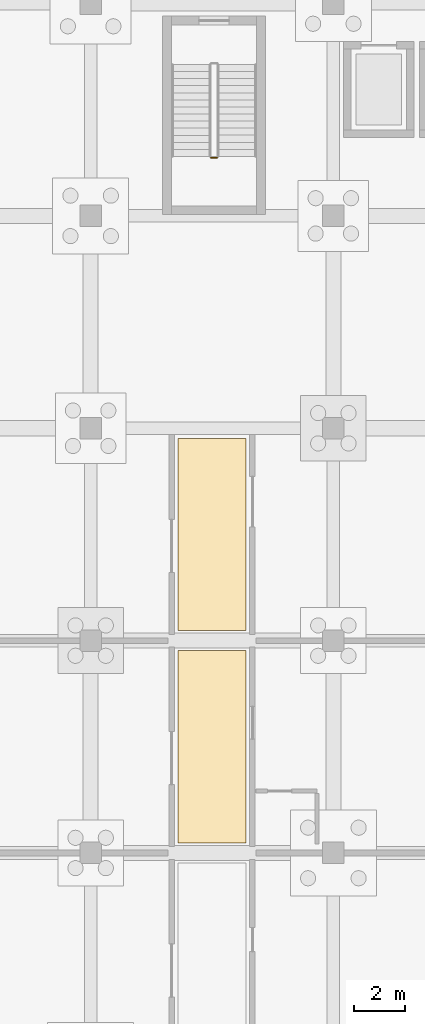
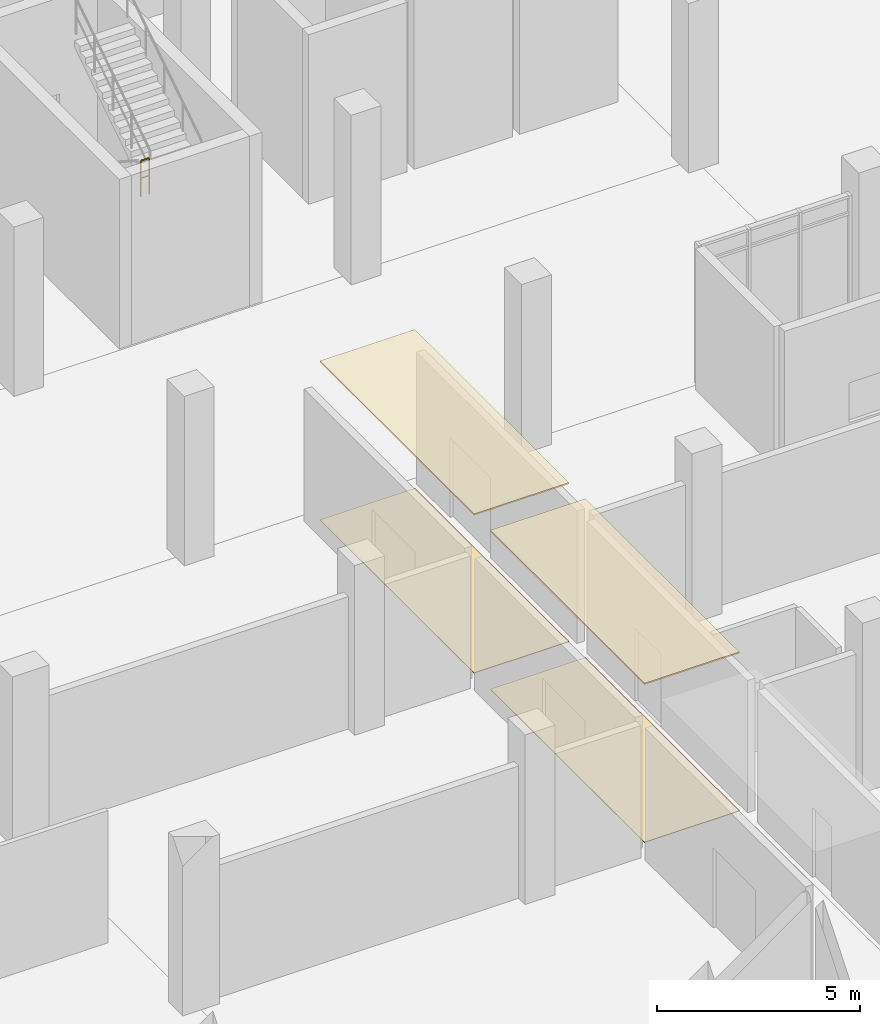
# One storey, part 126 of 136: 4 coverings, 1 railing.
"""IFC4 building model written with IfcOpenShell, lengths in metres."""

from ifc_helpers import new_model, si_unit, direction, frame, origin, origin_2d, place, context, subcontext, project, spatial, polyline, circle, outline, extrude, material, layer, layer_set, type_object, element, save


model = new_model("IFC4")

# Units and contexts
model_context = context("Model", 3, precision=1e-05, world=origin(), true_north=direction((0.0, 1.0)))
body_context = subcontext(model_context, "Body", "Model", "MODEL_VIEW")
ifc_project = project(units=[si_unit("LENGTHUNIT", "METRE"), si_unit("AREAUNIT", "SQUARE_METRE"), si_unit("VOLUMEUNIT", "CUBIC_METRE"), si_unit("PLANEANGLEUNIT", "RADIAN"), si_unit("MASSUNIT", "GRAM", prefix="KILO")], contexts=[model_context])

# Site, building, storey
site_placement = place(None, origin())
site = spatial("IfcSite", under=ifc_project, at=site_placement, CompositionType="ELEMENT")
building_placement = place(site_placement, origin())
building = spatial("IfcBuilding", under=site, at=building_placement, Name="Oolite Switchyard Hospital", CompositionType="ELEMENT")
storey_placement = place(building_placement, origin())
storey = spatial("IfcBuildingStorey", under=building, at=storey_placement, Name="L00", CompositionType="ELEMENT", Elevation=0.0)

# Coverings
ifc_material_1 = material(Name="Hygienic washable mineral-fibre acoustic ceiling")
ifc_layer_1 = layer(ifc_material_1, 0.0400390625)
ifc_layer_set_1 = layer_set([ifc_layer_1], Name="COV-CEIL-AC60")
covering_type_1 = type_object("IfcCoveringType", Name="COV-CEIL-AC60", PredefinedType="CEILING", material=ifc_layer_set_1)
covering_1_placement = place(storey_placement, frame((0.0, 0.0, 4.760009765625)))
element("IfcCovering", 1, at=covering_1_placement, inside=storey, type_object=covering_type_1, Name="L00 Diagnostic Imaging Corridor Ceiling 5", PredefinedType="CEILING", context=body_context, shape_type="SweptSolid", body=[
    extrude(outline(polyline([(41.85009765625, 67.60009765625), (44.550048828125, 67.60009765625), (44.550048828125, 75.199951171875), (41.85009765625, 75.199951171875), (41.85009765625, 67.60009765625)])), origin(), (0.0, 0.0, 1.0), 0.0400390625),
])
covering_2_placement = place(storey_placement, frame((0.0, 0.0, 4.760009765625)))
element("IfcCovering", 2, at=covering_2_placement, inside=storey, type_object=covering_type_1, Name="L00 Diagnostic Imaging Corridor Ceiling 6", PredefinedType="CEILING", context=body_context, shape_type="SweptSolid", body=[
    extrude(outline(polyline([(41.85009765625, 76.0), (44.550048828125, 76.0), (44.550048828125, 83.60009765625), (41.85009765625, 83.60009765625), (41.85009765625, 76.0)])), origin(), (0.0, 0.0, 1.0), 0.0400390625),
])
ifc_material_2 = material(Name="Epoxy terrazzo seamless clinical flooring")
ifc_layer_2 = layer(ifc_material_2, 0.02001953125)
ifc_layer_set_2 = layer_set([ifc_layer_2], Name="COV-FLR-TER20")
covering_type_2 = type_object("IfcCoveringType", Name="COV-FLR-TER20", PredefinedType="FLOORING", material=ifc_layer_set_2)
covering_3_placement = place(storey_placement, origin())
element("IfcCovering", 3, at=covering_3_placement, inside=storey, type_object=covering_type_2, Name="L00 Diagnostic Imaging Corridor Flooring 5", PredefinedType="FLOORING", context=body_context, shape_type="SweptSolid", body=[
    extrude(outline(polyline([(41.85009765625, 67.60009765625), (44.550048828125, 67.60009765625), (44.550048828125, 75.199951171875), (41.85009765625, 75.199951171875), (41.85009765625, 67.60009765625)])), origin(), (0.0, 0.0, 1.0), 0.02001953125),
])
covering_4_placement = place(storey_placement, origin())
element("IfcCovering", 4, at=covering_4_placement, inside=storey, type_object=covering_type_2, Name="L00 Diagnostic Imaging Corridor Flooring 6", PredefinedType="FLOORING", context=body_context, shape_type="SweptSolid", body=[
    extrude(outline(polyline([(41.85009765625, 76.0), (44.550048828125, 76.0), (44.550048828125, 83.60009765625), (41.85009765625, 83.60009765625), (41.85009765625, 76.0)])), origin(), (0.0, 0.0, 1.0), 0.02001953125),
])

# Railing
ifc_material_3 = material(Name="Galvanized painted architectural steel handrail", Category="steel")
railing_type = type_object("IfcRailingType", Name="RL-STAIR-GRD", PredefinedType="GUARDRAIL", material=ifc_material_3)
railing_placement = place(storey_placement, frame((43.159912109375, 94.699951171875, 2.550048828125)))
element("IfcRailing", 5, at=railing_placement, inside=storey, type_object=railing_type, Name="L00 ST-07 stair guard 2", PredefinedType="GUARDRAIL", context=body_context, shape_type="SweptSolid", body=[
    extrude(circle(Radius=0.02392578125, at=origin_2d()), frame((0.0, 0.0, 1.076171875), z_axis=(1.0, 0.0, 0.0), x_axis=(0.0, 1.0, 0.0)), (0.0, 0.0, 1.0), 0.239990234375),
    extrude(circle(Radius=0.015625, at=origin_2d()), frame((0.0, 0.0, 0.550048828125), z_axis=(1.0, 0.0, 0.0), x_axis=(0.0, 1.0, 0.0)), (0.0, 0.0, 1.0), 0.239990234375),
    extrude(circle(Radius=0.02099609375, at=origin_2d()), origin(), (0.0, 0.0, 1.0), 1.052001953125),
    extrude(circle(Radius=0.02099609375, at=origin_2d()), frame((0.239990234375, 0.0, 0.0)), (0.0, 0.0, 1.0), 1.052001953125),
])

save(model, "model.ifc")
